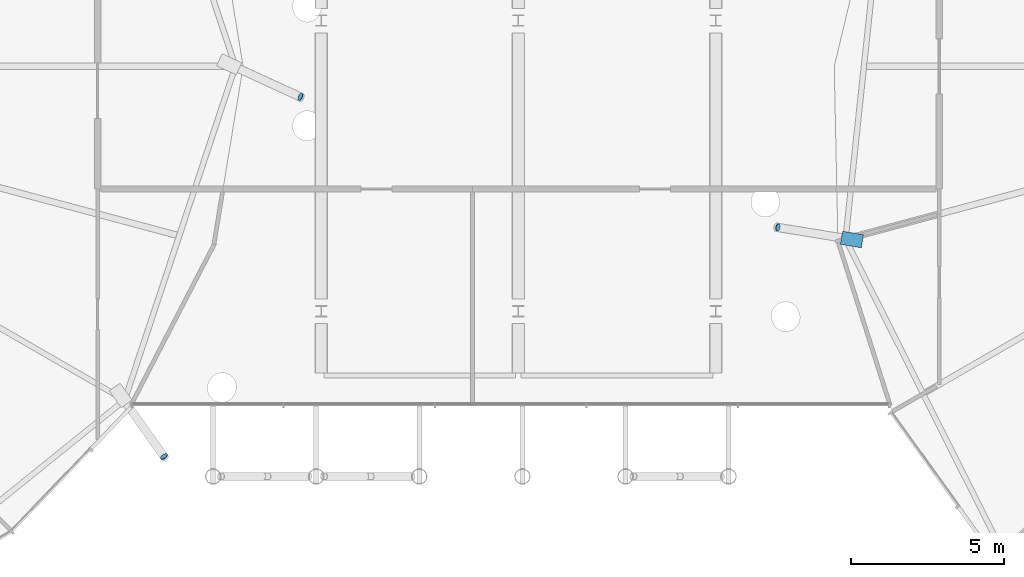
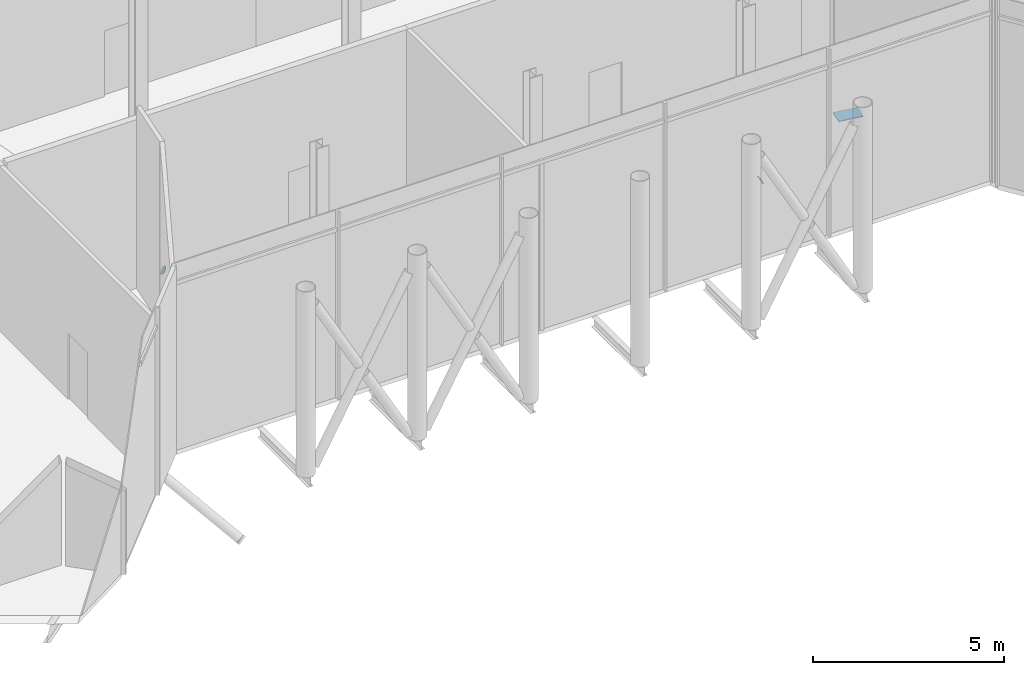
# One storey, part 27 of 38: 4 discrete accessories.
"""IFC4 building model written with IfcOpenShell, lengths in metres."""

from ifc_helpers import new_model, si_unit, direction, frame, origin, origin_2d, place, context, subcontext, project, spatial, polyline, rectangle, circle, outline, extrude, material, material_profile, profile_set, type_object, element, save


model = new_model("IFC4")

# Units and contexts
model_context = context("Model", 3, precision=1e-05, world=origin(), true_north=direction((0.0, 1.0)))
body_context = subcontext(model_context, "Body", "Model", "MODEL_VIEW")
ifc_project = project(units=[si_unit("LENGTHUNIT", "METRE"), si_unit("AREAUNIT", "SQUARE_METRE"), si_unit("VOLUMEUNIT", "CUBIC_METRE"), si_unit("PLANEANGLEUNIT", "RADIAN"), si_unit("MASSUNIT", "GRAM", prefix="KILO")], contexts=[model_context])

# Site, building, storey
site_placement = place(None, origin())
site = spatial("IfcSite", under=ifc_project, at=site_placement, CompositionType="ELEMENT")
building_placement = place(site_placement, origin())
building = spatial("IfcBuilding", under=site, at=building_placement, Name="Rimbun Link Towers", CompositionType="ELEMENT")
storey_placement = place(building_placement, frame((0.0, 0.0, 133.199951171875)))
storey = spatial("IfcBuildingStorey", under=building, at=storey_placement, Name="L32", CompositionType="ELEMENT", Elevation=133.199951171875)

# Discrete accessories
ifc_material_1 = material(Name="Steel S355J2H", Category="steel")
ifc_material_profile_1 = material_profile(ifc_material_1, circle(Radius=0.1240234375, at=origin_2d()), Name="PL D248")
ifc_profile_set_1 = profile_set([ifc_material_profile_1], Name="Steel S355J2H")
discrete_accessory_type_1 = type_object("IfcDiscreteAccessoryType", Name="Link foot sealing plate D248X20", PredefinedType="BRACKET", material=ifc_profile_set_1)
discrete_accessory_1_placement = place(storey_placement, frame((-7.135009765625, -0.992919921875, -2.208740234375), z_axis=(0.786713481609, -0.356479546354, -0.503988324156), x_axis=(0.412730377109, 0.910853246034, 0.0)))
element("IfcDiscreteAccessory", 1, at=discrete_accessory_1_placement, inside=storey, type_object=discrete_accessory_type_1, Name="Link foot sealing plate T1 L32 00", PredefinedType="BRACKET", context=body_context, shape_type="SweptSolid", body=[
    extrude(circle(Radius=0.1240234375, at=origin_2d()), origin(), (0.0, 0.0, 1.0), 0.019775390625),
])
for number, where, z_axis, x_axis, name in (
    (2, (-11.588134765625, -12.74365234375, -2.1220703125), (0.497967546371, -0.692296344954, -0.522258646194), (0.811804390952, 0.583929474193, 0.0), "Link foot sealing plate T1 L32 22"),
    (3, (8.48291015625, -5.262939453125, -2.195068359375), (-0.849812498284, 0.133541964016, -0.509887498971), (-0.155237833992, -0.987877125404, 0.0), "Link foot sealing plate T2 L32 10"),
):
    element("IfcDiscreteAccessory", number, at=place(storey_placement, frame(where, z_axis=z_axis, x_axis=x_axis)), inside=storey, type_object=discrete_accessory_type_1, Name=name, PredefinedType="BRACKET", context=body_context, shape_type="SweptSolid", body=[
        extrude(circle(Radius=0.1240234375, at=origin_2d()), origin(), (0.0, 0.0, 1.0), 0.02001953125),
    ])
ifc_material_2 = material(Name="Steel S355J2H", Category="steel")
ifc_material_profile_2 = material_profile(ifc_material_2, rectangle(XDim=0.43310546875, YDim=0.43310546875, at=origin_2d()), Name="PL 433x433")
ifc_profile_set_2 = profile_set([ifc_material_profile_2], Name="Steel S355J2H")
discrete_accessory_type_2 = type_object("IfcDiscreteAccessoryType", Name="Link head end plate 433X20", PredefinedType="BRACKET", material=ifc_profile_set_2)
discrete_accessory_2_placement = place(storey_placement, frame((0.0, 0.0, -0.733154296875)))
element("IfcDiscreteAccessory", 4, at=discrete_accessory_2_placement, inside=storey, type_object=discrete_accessory_type_2, Name="Link head end plate T2 L32 10", PredefinedType="BRACKET", context=body_context, shape_type="SweptSolid", body=[
    extrude(outline(polyline([(11.2724609375, -5.498779296875), (10.58935546875, -5.387451171875), (10.519775390625, -5.814697265625), (11.20263671875, -5.92626953125), (11.2724609375, -5.498779296875)])), origin(), (0.0, 0.0, 1.0), 0.02001953125),
])

save(model, "model.ifc")
